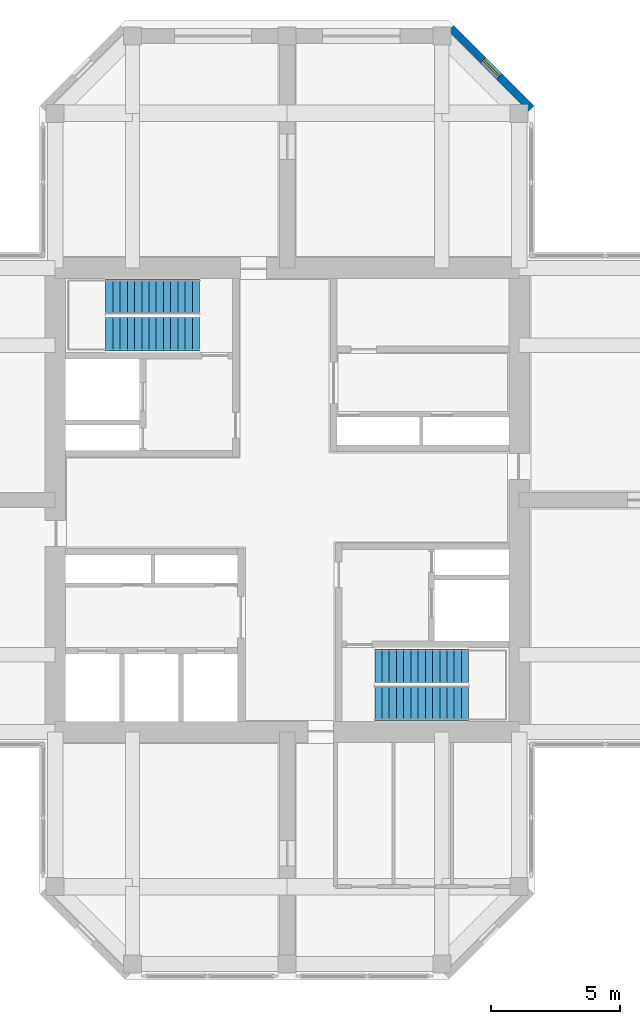
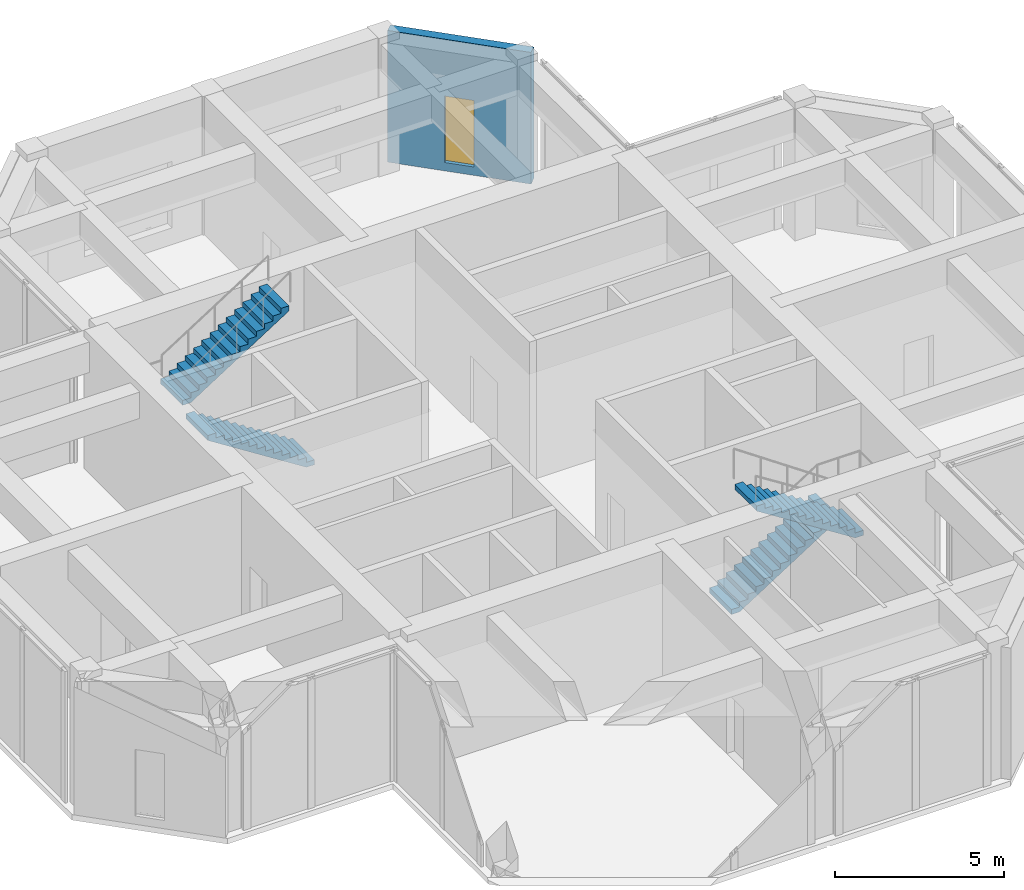
# One storey, part 7 of 8: 4 stair flights, 1 wall, 1 window, 1 opening, 2 elements without a shape of their own.
"""IFC4 building model written with IfcOpenShell, lengths in metres."""

from ifc_helpers import new_model, si_unit, direction, frame, frame_2d, origin, place, context, subcontext, project, spatial, polyline, rectangle, hollow_rectangle, outline, extrude, material, layer, layer_set, constituent, constituent_set, type_object, element, fill, aggregate, save


model = new_model("IFC4")

# Units and contexts
model_context = context("Model", 3, precision=1e-05, world=origin(), true_north=direction((0.0, 1.0)))
body_context = subcontext(model_context, "Body", "Model", "MODEL_VIEW")
ifc_project = project(units=[si_unit("LENGTHUNIT", "METRE"), si_unit("AREAUNIT", "SQUARE_METRE"), si_unit("VOLUMEUNIT", "CUBIC_METRE"), si_unit("PLANEANGLEUNIT", "RADIAN"), si_unit("MASSUNIT", "GRAM", prefix="KILO")], contexts=[model_context])

# Site, building, storey
site_placement = place(None, origin())
site = spatial("IfcSite", under=ifc_project, at=site_placement, CompositionType="ELEMENT")
building_placement = place(site_placement, origin())
building = spatial("IfcBuilding", under=site, at=building_placement, Name="Torre Cruceta", CompositionType="ELEMENT")
storey_placement = place(building_placement, frame((0.0, 0.0, 288.300048828125)))
storey = spatial("IfcBuildingStorey", under=building, at=storey_placement, Name="L75", CompositionType="ELEMENT", Elevation=288.300048828125)

# Wall, opening, window
ifc_material_1 = material(Name="Concrete G30 (fck 30 MPa)", Category="concrete")
ifc_layer = layer(ifc_material_1, 0.300048828125)
ifc_layer_set = layer_set([ifc_layer], Name="Concrete G30 (fck 30 MPa)")
wall_type = type_object("IfcWallType", Name="EXPOSED CONCRETE FACADE WALL 300", PredefinedType="SOLIDWALL", material=ifc_layer_set)
wall_placement = place(storey_placement, frame((9.469970703125, 15.194580078125, 0.0), z_axis=(0.0, 0.0, 1.0), x_axis=(-0.70707898447, 0.707134576811, 0.0)))
wall = element("IfcWall", 1, at=wall_placement, inside=storey, type_object=wall_type, Name="EW1 facade wall L75 N chamfer 06", PredefinedType="SOLIDWALL", context=body_context, shape_type="SweptSolid", body=[
    extrude(rectangle(XDim=4.3916015625, YDim=0.300048828125, at=frame_2d((2.19580078125, 0.0))), origin(), (0.0, 0.0, 1.0), 4.75),
])
opening_placement = place(wall_placement, frame((1.745849609375, 0.0, 0.300048828125)))
opening = element("IfcOpeningElement", 2, at=opening_placement, cuts=wall, Name="Opening WN5", PredefinedType="OPENING", context=body_context, shape_type="SweptSolid", body=[
    extrude(rectangle(XDim=0.89990234375, YDim=2.39990234375, at=frame_2d((0.449951171875, 1.199951171875))), frame((0.0, 0.159912109375, 0.0), z_axis=(0.0, -1.0, 0.0), x_axis=(1.0, 0.0, 0.0)), (0.0, 0.0, 1.0), 0.320068359375),
])
ifc_material_2 = material(Name="Aluminium window frame", Category="aluminium")
ifc_constituent_1 = constituent(ifc_material_2, Name="Frame")
ifc_material_3 = material(Name="Laminated insulating glass unit, low-iron clear", Category="glass")
ifc_constituent_2 = constituent(ifc_material_3, Name="Glazing")
ifc_constituent_set = constituent_set(constituents=[ifc_constituent_1, ifc_constituent_2], Name="Aluminium window")
window_type = type_object("IfcWindowType", Name="CHAMFER SLOT WINDOW 900X2400", PartitioningType="SINGLE_PANEL", PredefinedType="WINDOW", material=ifc_constituent_set)
window_placement = place(opening_placement, origin())
window = element("IfcWindow", 3, at=window_placement, inside=storey, type_object=window_type, Name="WN5 L75 N 1", OverallHeight=2.39990234375, OverallWidth=0.89990234375, PartitioningType="SINGLE_PANEL", PredefinedType="WINDOW", context=body_context, shape_type="SweptSolid", body=[
    extrude(hollow_rectangle(XDim=0.89990234375, YDim=2.39990234375, WallThickness=0.06005859375, at=frame_2d((0.449951171875, 1.199951171875))), frame((0.0, 0.030029296875, 0.0), z_axis=(0.0, -1.0, 0.0), x_axis=(1.0, 0.0, 0.0)), (0.0, 0.0, 1.0), 0.06005859375),
    extrude(rectangle(XDim=0.77880859375, YDim=2.27880859375, at=frame_2d((0.449951171875, 1.199951171875))), frame((0.0, 0.030029296875, 0.0), z_axis=(0.0, -1.0, 0.0), x_axis=(1.0, 0.0, 0.0)), (0.0, 0.0, 1.0), 0.06005859375),
])
fill(opening, window)

# Stair, stair flights
ifc_material_4 = material(Name="Concrete G30 (fck 30 MPa)", Category="concrete")
stair_type = type_object("IfcStairType", Name="STAIR HALF-TURN 1300", PredefinedType="HALF_TURN_STAIR", material=ifc_material_4)
stair_1_placement = place(storey_placement, origin())
stair_1 = element("IfcStair", 4, at=stair_1_placement, inside=storey, type_object=stair_type, Name="Stair ST1 L75", PredefinedType="HALF_TURN_STAIR")
ifc_material_5 = material(Name="Concrete G30 (fck 30 MPa)", Category="concrete")
stair_flight_type = type_object("IfcStairFlightType", Name="STAIR FLIGHT 1300", PredefinedType="STRAIGHT", material=ifc_material_5)
stair_flight_1_placement = place(storey_placement, frame((-3.39990234375, 6.425048828125, 0.0), z_axis=(0.0, 0.0, 1.0), x_axis=(-1.0, 0.0, 0.0)))
stair_flight_1 = element("IfcStairFlight", 5, at=stair_flight_1_placement, type_object=stair_flight_type, Name="ST1 flight 1", NumberOfRisers=14, NumberOfTreads=13, PredefinedType="STRAIGHT", RiserHeight=0.178571429, TreadLength=0.28, context=body_context, shape_type="SweptSolid", body=[
    extrude(outline(polyline([(0.0, 0.0), (0.0, 0.178466796875), (0.280029296875, 0.178466796875), (0.280029296875, 0.357177734375), (0.56005859375, 0.357177734375), (0.56005859375, 0.53564453125), (0.840087890625, 0.53564453125), (0.840087890625, 0.71435546875), (1.1201171875, 0.71435546875), (1.1201171875, 0.892822265625), (1.39990234375, 0.892822265625), (1.39990234375, 1.071533203125), (1.679931640625, 1.071533203125), (1.679931640625, 1.25), (1.9599609375, 1.25), (1.9599609375, 1.428466796875), (2.239990234375, 1.428466796875), (2.239990234375, 1.607177734375), (2.52001953125, 1.607177734375), (2.52001953125, 1.78564453125), (2.800048828125, 1.78564453125), (2.800048828125, 1.96435546875), (3.080078125, 1.96435546875), (3.080078125, 2.142822265625), (3.360107421875, 2.142822265625), (3.360107421875, 2.321533203125), (3.639892578125, 2.321533203125), (3.639892578125, 2.5), (3.639892578125, 2.1435546875), (0.27880859375, 0.0), (0.0, 0.0)])), frame((0.0, 0.64990234375, 0.0), z_axis=(0.0, -1.0, 0.0), x_axis=(1.0, 0.0, 0.0)), (0.0, 0.0, 1.0), 1.300048828125),
])
stair_flight_2_placement = place(storey_placement, frame((-7.0400390625, 7.925048828125, 2.5), z_axis=(0.0, 0.0, 1.0), x_axis=(1.0, 0.0, 0.0)))
stair_flight_2 = element("IfcStairFlight", 6, at=stair_flight_2_placement, type_object=stair_flight_type, Name="ST1 flight 2", NumberOfRisers=14, NumberOfTreads=13, PredefinedType="STRAIGHT", RiserHeight=0.178571429, TreadLength=0.28, context=body_context, shape_type="SweptSolid", body=[
    extrude(outline(polyline([(0.0, 0.0), (0.0, 0.178466796875), (0.280029296875, 0.178466796875), (0.280029296875, 0.357177734375), (0.56005859375, 0.357177734375), (0.56005859375, 0.53564453125), (0.840087890625, 0.53564453125), (0.840087890625, 0.71435546875), (1.1201171875, 0.71435546875), (1.1201171875, 0.892822265625), (1.39990234375, 0.892822265625), (1.39990234375, 1.071533203125), (1.679931640625, 1.071533203125), (1.679931640625, 1.25), (1.9599609375, 1.25), (1.9599609375, 1.428466796875), (2.239990234375, 1.428466796875), (2.239990234375, 1.607177734375), (2.52001953125, 1.607177734375), (2.52001953125, 1.78564453125), (2.800048828125, 1.78564453125), (2.800048828125, 1.96435546875), (3.080078125, 1.96435546875), (3.080078125, 2.142822265625), (3.360107421875, 2.142822265625), (3.360107421875, 2.321533203125), (3.639892578125, 2.321533203125), (3.639892578125, 2.5), (3.639892578125, 2.1435546875), (0.27880859375, 0.0), (0.0, 0.0)])), frame((0.0, 0.64990234375, 0.0), z_axis=(0.0, -1.0, 0.0), x_axis=(1.0, 0.0, 0.0)), (0.0, 0.0, 1.0), 1.300048828125),
])
aggregate(stair_1, [stair_flight_1, stair_flight_2])

stair_2_placement = place(storey_placement, origin())
stair_2 = element("IfcStair", 7, at=stair_2_placement, inside=storey, type_object=stair_type, Name="Stair ST2 L75", PredefinedType="HALF_TURN_STAIR")
stair_flight_3_placement = place(storey_placement, frame((3.39990234375, -6.425048828125, 0.0), z_axis=(0.0, 0.0, 1.0), x_axis=(1.0, 0.0, 0.0)))
stair_flight_3 = element("IfcStairFlight", 8, at=stair_flight_3_placement, type_object=stair_flight_type, Name="ST2 flight 1", NumberOfRisers=14, NumberOfTreads=13, PredefinedType="STRAIGHT", RiserHeight=0.178571429, TreadLength=0.28, context=body_context, shape_type="SweptSolid", body=[
    extrude(outline(polyline([(0.0, 0.0), (0.0, 0.178466796875), (0.280029296875, 0.178466796875), (0.280029296875, 0.357177734375), (0.56005859375, 0.357177734375), (0.56005859375, 0.53564453125), (0.840087890625, 0.53564453125), (0.840087890625, 0.71435546875), (1.1201171875, 0.71435546875), (1.1201171875, 0.892822265625), (1.39990234375, 0.892822265625), (1.39990234375, 1.071533203125), (1.679931640625, 1.071533203125), (1.679931640625, 1.25), (1.9599609375, 1.25), (1.9599609375, 1.428466796875), (2.239990234375, 1.428466796875), (2.239990234375, 1.607177734375), (2.52001953125, 1.607177734375), (2.52001953125, 1.78564453125), (2.800048828125, 1.78564453125), (2.800048828125, 1.96435546875), (3.080078125, 1.96435546875), (3.080078125, 2.142822265625), (3.360107421875, 2.142822265625), (3.360107421875, 2.321533203125), (3.639892578125, 2.321533203125), (3.639892578125, 2.5), (3.639892578125, 2.1435546875), (0.27880859375, 0.0), (0.0, 0.0)])), frame((0.0, 0.64990234375, 0.0), z_axis=(0.0, -1.0, 0.0), x_axis=(1.0, 0.0, 0.0)), (0.0, 0.0, 1.0), 1.300048828125),
])
stair_flight_4_placement = place(storey_placement, frame((7.0400390625, -7.925048828125, 2.5), z_axis=(0.0, 0.0, 1.0), x_axis=(-1.0, 0.0, 0.0)))
stair_flight_4 = element("IfcStairFlight", 9, at=stair_flight_4_placement, type_object=stair_flight_type, Name="ST2 flight 2", NumberOfRisers=14, NumberOfTreads=13, PredefinedType="STRAIGHT", RiserHeight=0.178571429, TreadLength=0.28, context=body_context, shape_type="SweptSolid", body=[
    extrude(outline(polyline([(0.0, 0.0), (0.0, 0.178466796875), (0.280029296875, 0.178466796875), (0.280029296875, 0.357177734375), (0.56005859375, 0.357177734375), (0.56005859375, 0.53564453125), (0.840087890625, 0.53564453125), (0.840087890625, 0.71435546875), (1.1201171875, 0.71435546875), (1.1201171875, 0.892822265625), (1.39990234375, 0.892822265625), (1.39990234375, 1.071533203125), (1.679931640625, 1.071533203125), (1.679931640625, 1.25), (1.9599609375, 1.25), (1.9599609375, 1.428466796875), (2.239990234375, 1.428466796875), (2.239990234375, 1.607177734375), (2.52001953125, 1.607177734375), (2.52001953125, 1.78564453125), (2.800048828125, 1.78564453125), (2.800048828125, 1.96435546875), (3.080078125, 1.96435546875), (3.080078125, 2.142822265625), (3.360107421875, 2.142822265625), (3.360107421875, 2.321533203125), (3.639892578125, 2.321533203125), (3.639892578125, 2.5), (3.639892578125, 2.1435546875), (0.27880859375, 0.0), (0.0, 0.0)])), frame((0.0, 0.64990234375, 0.0), z_axis=(0.0, -1.0, 0.0), x_axis=(1.0, 0.0, 0.0)), (0.0, 0.0, 1.0), 1.300048828125),
])
aggregate(stair_2, [stair_flight_3, stair_flight_4])

save(model, "model.ifc")
